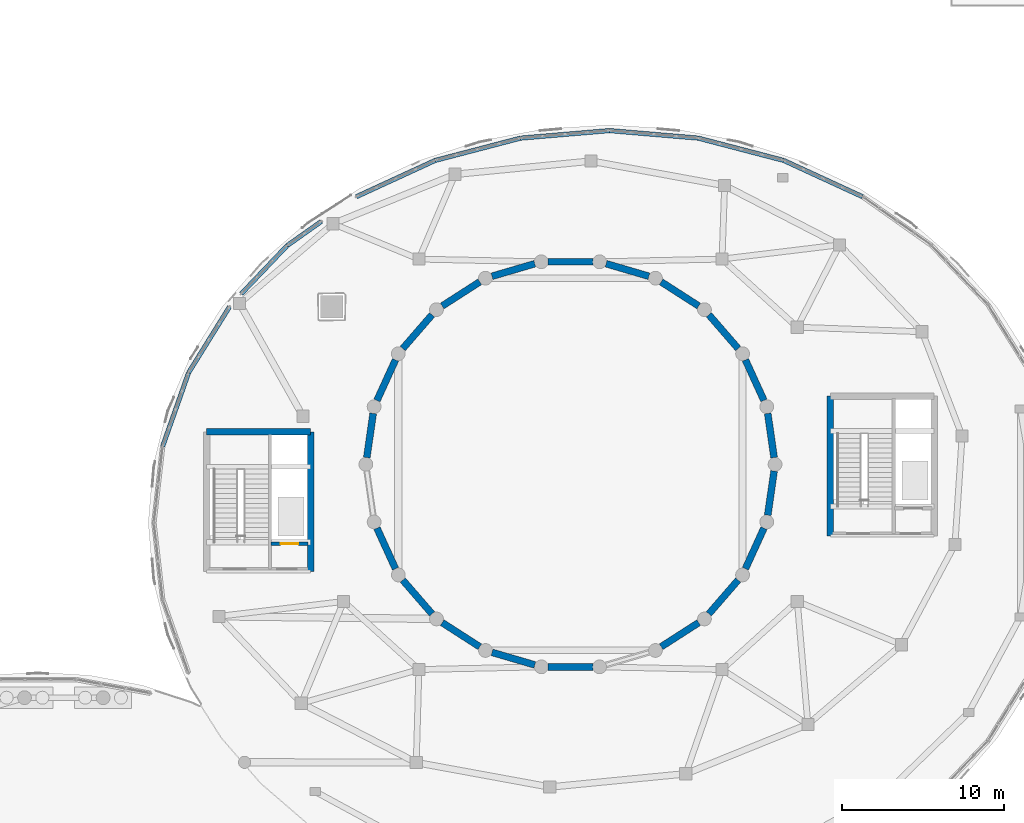
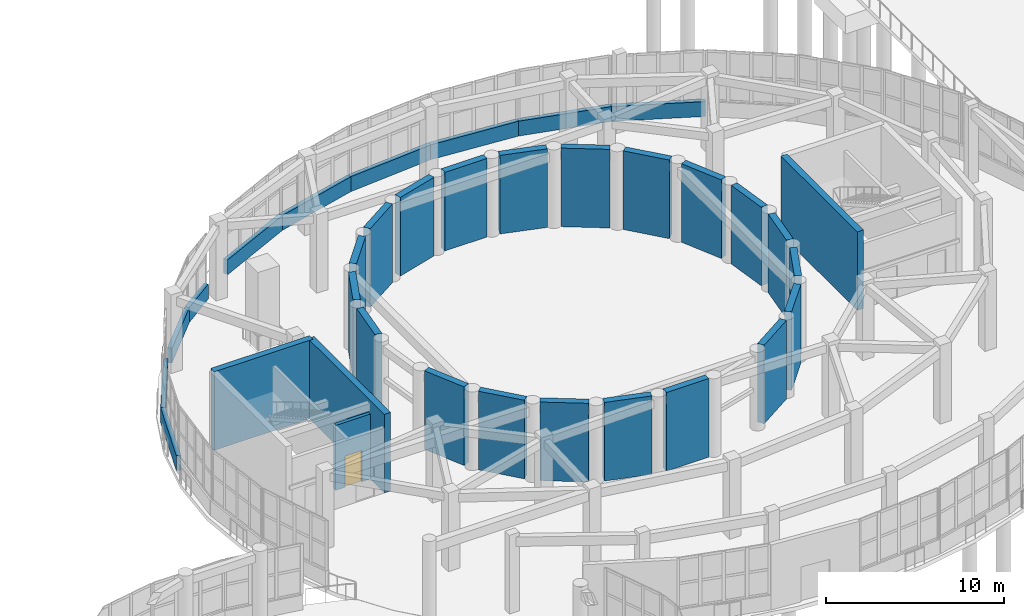
# One storey, part 76 of 96: 34 walls, 1 door, 1 opening.
"""IFC4 building model written with IfcOpenShell, lengths in metres."""

from ifc_helpers import new_model, si_unit, direction, frame, frame_2d, origin, place, context, subcontext, project, spatial, rectangle, extrude, material, layer, layer_set, type_object, element, fill, save


model = new_model("IFC4")

# Units and contexts
model_context = context("Model", 3, precision=1e-05, world=origin(), true_north=direction((0.0, 1.0)))
body_context = subcontext(model_context, "Body", "Model", "MODEL_VIEW")
ifc_project = project(units=[si_unit("LENGTHUNIT", "METRE"), si_unit("AREAUNIT", "SQUARE_METRE"), si_unit("VOLUMEUNIT", "CUBIC_METRE"), si_unit("PLANEANGLEUNIT", "RADIAN"), si_unit("MASSUNIT", "GRAM", prefix="KILO")], contexts=[model_context])

# Site, building, storey
site_placement = place(None, origin())
site = spatial("IfcSite", under=ifc_project, at=site_placement, CompositionType="ELEMENT")
building_placement = place(site_placement, origin())
building = spatial("IfcBuilding", under=site, at=building_placement, Name="Pelvatis Terrace Science Centre", CompositionType="ELEMENT")
storey_placement = place(building_placement, origin())
storey = spatial("IfcBuildingStorey", under=building, at=storey_placement, Name="L00", CompositionType="ELEMENT", Elevation=0.0)

# Walls
ifc_material_1 = material(Name="White architectural precast concrete C40/50 spandrel", Category="concrete")
ifc_layer_1 = layer(ifc_material_1, 0.27490234375)
ifc_layer_set_1 = layer_set([ifc_layer_1], Name="White architectural precast concrete C40/50 spandrel")
wall_type_1 = type_object("IfcWallType", Name="WL-EXT-SPND-275", PredefinedType="SOLIDWALL", material=ifc_layer_set_1)
wall_1_placement = place(storey_placement, frame((127.18359375, 102.280029296875, 0.0), z_axis=(0.0, 0.0, 1.0), x_axis=(-0.908420638182, 0.418057345498, 0.0)))
element("IfcWall", 1, at=wall_1_placement, inside=storey, type_object=wall_type_1, Name="V1 white spiral spandrel band 06 (L00)", PredefinedType="SOLIDWALL", context=body_context, shape_type="SweptSolid", body=[
    extrude(rectangle(XDim=5.338134765625, YDim=0.27490234375, at=frame_2d((2.6689453125, 0.0))), origin(), (0.0, 0.0, 1.0), 1.02001953125),
])
wall_2_placement = place(storey_placement, frame((122.334228515625, 104.51171875, 0.0), z_axis=(0.0, 0.0, 1.0), x_axis=(-0.967546202247, 0.252694175866, 0.0)))
element("IfcWall", 2, at=wall_2_placement, inside=storey, type_object=wall_type_1, Name="V1 white spiral spandrel band 07 (L00)", PredefinedType="SOLIDWALL", context=body_context, shape_type="SweptSolid", body=[
    extrude(rectangle(XDim=5.4384765625, YDim=0.27490234375, at=frame_2d((2.71923828125, 0.0))), origin(), (0.0, 0.0, 1.0), 1.02001953125),
])
wall_3_placement = place(storey_placement, frame((117.072265625, 105.885986328125, 0.0), z_axis=(0.0, 0.0, 1.0), x_axis=(-0.996422660163, 0.084509658114, 0.0)))
element("IfcWall", 3, at=wall_3_placement, inside=storey, type_object=wall_type_1, Name="V1 white spiral spandrel band 08 (L00)", PredefinedType="SOLIDWALL", context=body_context, shape_type="SweptSolid", body=[
    extrude(rectangle(XDim=5.49169921875, YDim=0.27490234375, at=frame_2d((2.745849609375, 0.0))), origin(), (0.0, 0.0, 1.0), 1.02001953125),
])
wall_4_placement = place(storey_placement, frame((111.60009765625, 106.35009765625, 0.0), z_axis=(0.0, 0.0, 1.0), x_axis=(-0.996422977636, -0.084505914811, 0.0)))
element("IfcWall", 4, at=wall_4_placement, inside=storey, type_object=wall_type_1, Name="V1 white spiral spandrel band 09 (L00)", PredefinedType="SOLIDWALL", context=body_context, shape_type="SweptSolid", body=[
    extrude(rectangle(XDim=5.491943359375, YDim=0.27490234375, at=frame_2d((2.74609375, 0.0))), origin(), (0.0, 0.0, 1.0), 1.02001953125),
])
wall_5_placement = place(storey_placement, frame((106.127685546875, 105.885986328125, 0.0), z_axis=(0.0, 0.0, 1.0), x_axis=(-0.967546202247, -0.252694175866, 0.0)))
element("IfcWall", 5, at=wall_5_placement, inside=storey, type_object=wall_type_1, Name="V1 white spiral spandrel band 10 (L00)", PredefinedType="SOLIDWALL", context=body_context, shape_type="SweptSolid", body=[
    extrude(rectangle(XDim=5.4384765625, YDim=0.27490234375, at=frame_2d((2.71923828125, 0.0))), origin(), (0.0, 0.0, 1.0), 1.02001953125),
])
wall_6_placement = place(storey_placement, frame((100.86572265625, 104.51171875, 0.0), z_axis=(0.0, 0.0, 1.0), x_axis=(-0.908420638182, -0.418057345498, 0.0)))
element("IfcWall", 6, at=wall_6_placement, inside=storey, type_object=wall_type_1, Name="V1 white spiral spandrel band 11 (L00)", PredefinedType="SOLIDWALL", context=body_context, shape_type="SweptSolid", body=[
    extrude(rectangle(XDim=5.338134765625, YDim=0.27490234375, at=frame_2d((2.6689453125, 0.0))), origin(), (0.0, 0.0, 1.0), 1.02001953125),
])
wall_7_placement = place(storey_placement, frame((93.86181640625, 100.7578125, 0.0), z_axis=(0.0, 0.0, 1.0), x_axis=(-0.816685705742, -0.57708271334, 0.0)))
element("IfcWall", 7, at=wall_7_placement, inside=storey, type_object=wall_type_1, Name="V1 white spiral spandrel band 12 (L00)", PredefinedType="SOLIDWALL", context=body_context, shape_type="SweptSolid", body=[
    extrude(rectangle(XDim=2.566650390625, YDim=0.27490234375, at=frame_2d((1.283203125, 0.0))), origin(), (0.0, 0.0, 1.0), 1.02001953125),
])
wall_8_placement = place(storey_placement, frame((91.765625, 99.276611328125, 0.0), z_axis=(0.0, 0.0, 1.0), x_axis=(-0.689956013093, -0.723851296882, 0.0)))
element("IfcWall", 8, at=wall_8_placement, inside=storey, type_object=wall_type_1, Name="V1 white spiral spandrel band 13 (L00)", PredefinedType="SOLIDWALL", context=body_context, shape_type="SweptSolid", body=[
    extrude(rectangle(XDim=4.11279296875, YDim=0.27490234375, at=frame_2d((2.056396484375, 0.0))), origin(), (0.0, 0.0, 1.0), 1.02001953125),
])
wall_9_placement = place(storey_placement, frame((88.20703125, 95.503662109375, 0.0), z_axis=(0.0, 0.0, 1.0), x_axis=(-0.527458195814, -0.849580985939, 0.0)))
element("IfcWall", 9, at=wall_9_placement, inside=storey, type_object=wall_type_1, Name="V1 white spiral spandrel band 14 (L00)", PredefinedType="SOLIDWALL", context=body_context, shape_type="SweptSolid", body=[
    extrude(rectangle(XDim=4.781005859375, YDim=0.27490234375, at=frame_2d((2.390625, 0.0))), origin(), (0.0, 0.0, 1.0), 1.02001953125),
])
wall_10_placement = place(storey_placement, frame((85.685302734375, 91.44189453125, 0.0), z_axis=(0.0, 0.0, 1.0), x_axis=(-0.332298985331, -0.943174100762, 0.0)))
element("IfcWall", 10, at=wall_10_placement, inside=storey, type_object=wall_type_1, Name="V1 white spiral spandrel band 15 (L00)", PredefinedType="SOLIDWALL", context=body_context, shape_type="SweptSolid", body=[
    extrude(rectangle(XDim=4.803466796875, YDim=0.27490234375, at=frame_2d((2.40185546875, 0.0))), origin(), (0.0, 0.0, 1.0), 1.02001953125),
])

# Wall, opening, door
ifc_material_2 = material(Name="Concrete C35/45 stair enclosure wall", Category="concrete")
ifc_layer_2 = layer(ifc_material_2, 0.22509765625)
ifc_layer_set_2 = layer_set([ifc_layer_2], Name="Concrete C35/45 stair enclosure wall")
wall_type_2 = type_object("IfcWallType", Name="WL-INT-CORE-225", PredefinedType="PARTITIONING", material=ifc_layer_set_2)
wall_11_placement = place(storey_placement, frame((90.75, 80.89990234375, 0.0), z_axis=(0.0, 0.0, 1.0), x_axis=(1.0, 0.0, 0.0)))
wall_11 = element("IfcWall", 11, at=wall_11_placement, inside=storey, type_object=wall_type_2, Name="Core C1 lift shaft landing wall (L00)", PredefinedType="PARTITIONING", context=body_context, shape_type="SweptSolid", body=[
    extrude(rectangle(XDim=2.300048828125, YDim=0.22509765625, at=frame_2d((1.14990234375, 0.0))), origin(), (0.0, 0.0, 1.0), 4.4599609375),
])
opening_placement = place(wall_11_placement, frame((0.60009765625, 0.0, 0.0)))
opening = element("IfcOpeningElement", 12, at=opening_placement, cuts=wall_11, Name="Opening LD-C1-2", PredefinedType="OPENING", context=body_context, shape_type="SweptSolid", body=[
    extrude(rectangle(XDim=1.10009765625, YDim=2.14990234375, at=frame_2d((0.550048828125, 1.074951171875))), frame((0.0, 0.12255859375, 0.0), z_axis=(0.0, -1.0, 0.0), x_axis=(1.0, 0.0, 0.0)), (0.0, 0.0, 1.0), 0.2451171875),
])
ifc_material_3 = material(Name="Stainless steel sliding fire-fighting lift landing door", Category="steel")
door_type = type_object("IfcDoorType", Name="DR-LIFT-1100x2150", OperationType="NOTDEFINED", PredefinedType="DOOR", material=ifc_material_3)
door_placement = place(opening_placement, origin())
door = element("IfcDoor", 13, at=door_placement, inside=storey, type_object=door_type, Name="Lift LF-01 sliding landing door (L00)", OperationType="SLIDING_TO_RIGHT", OverallHeight=2.14990234375, OverallWidth=1.10009765625, PredefinedType="DOOR", context=body_context, shape_type="SweptSolid", body=[
    extrude(rectangle(XDim=1.10009765625, YDim=2.14990234375, at=frame_2d((0.550048828125, 1.074951171875))), frame((0.0, 0.02490234375, 0.0), z_axis=(0.0, -1.0, 0.0), x_axis=(1.0, 0.0, 0.0)), (0.0, 0.0, 1.0), 0.050048828125),
])
fill(opening, door)

# Walls
ifc_material_4 = material(Name="Concrete C40/50", Category="concrete")
ifc_layer_3 = layer(ifc_material_4, 0.39990234375)
ifc_layer_set_3 = layer_set([ifc_layer_3], Name="Concrete C40/50")
wall_type_3 = type_object("IfcWallType", Name="WL-SHR-400", PredefinedType="SHEAR", material=ifc_layer_set_3)
wall_12_placement = place(storey_placement, frame((86.800048828125, 87.800048828125, 0.0), z_axis=(0.0, 0.0, 1.0), x_axis=(1.0, 0.0, 0.0)))
element("IfcWall", 14, at=wall_12_placement, inside=storey, type_object=wall_type_3, Name="Core C1 shear wall N (L00)", PredefinedType="SHEAR", context=body_context, shape_type="SweptSolid", body=[
    extrude(rectangle(XDim=6.39990234375, YDim=0.39990234375, at=frame_2d((3.199951171875, 0.0))), origin(), (0.0, 0.0, 1.0), 5.39990234375),
])
for number, where, z_axis, x_axis, name in (
    (15, (93.199951171875, 79.199951171875, 0.0), (0.0, 0.0, 1.0), (0.0, 1.0, 0.0), "Core C1 shear wall E (L00)"),
    (16, (125.199951171875, 81.39990234375, 0.0), (0.0, 0.0, 1.0), (0.0, 1.0, 0.0), "Core C2 shear wall W (L00)"),
):
    element("IfcWall", number, at=place(storey_placement, frame(where, z_axis=z_axis, x_axis=x_axis)), inside=storey, type_object=wall_type_3, Name=name, PredefinedType="SHEAR", context=body_context, shape_type="SweptSolid", body=[
        extrude(rectangle(XDim=8.60009765625, YDim=0.39990234375, at=frame_2d((4.300048828125, 0.0))), origin(), (0.0, 0.0, 1.0), 5.39990234375),
    ])
ifc_material_5 = material(Name="Concrete C40/50", Category="concrete")
ifc_layer_4 = layer(ifc_material_5, 0.419921875)
ifc_layer_set_4 = layer_set([ifc_layer_4], Name="Concrete C40/50")
wall_type_4 = type_object("IfcWallType", Name="WL-SHR-420", PredefinedType="SHEAR", material=ifc_layer_set_4)
for number, where, z_axis, x_axis, name in (
    (17, (121.740234375, 86.2158203125, 0.0), (0.0, 0.0, 1.0), (-0.142329860809, 0.98981928185, 0.0), "Planetarium shear drum wall 01 (L00)"),
    (18, (121.114990234375, 89.731689453125, 0.0), (0.0, 0.0, 1.0), (-0.415322734661, 0.909674131804, 0.0), "Planetarium shear drum wall 02 (L00)"),
    (19, (119.52490234375, 92.929443359375, 0.0), (0.0, 0.0, 1.0), (-0.654903462799, 0.755712547476, 0.0), "Planetarium shear drum wall 03 (L00)"),
):
    element("IfcWall", number, at=place(storey_placement, frame(where, z_axis=z_axis, x_axis=x_axis)), inside=storey, type_object=wall_type_4, Name=name, PredefinedType="SHEAR", context=body_context, shape_type="SweptSolid", body=[
        extrude(rectangle(XDim=2.746337890625, YDim=0.419921875, at=frame_2d((1.373046875, 0.0))), origin(), (0.0, 0.0, 1.0), 5.39990234375),
    ])
wall_13_placement = place(storey_placement, frame((117.097900390625, 95.549560546875, 0.0), z_axis=(0.0, 0.0, 1.0), x_axis=(-0.841273782563, 0.54060930696, 0.0)))
element("IfcWall", 20, at=wall_13_placement, inside=storey, type_object=wall_type_4, Name="Planetarium shear drum wall 04 (L00)", PredefinedType="SHEAR", context=body_context, shape_type="SweptSolid", body=[
    extrude(rectangle(XDim=2.74609375, YDim=0.419921875, at=frame_2d((1.373046875, 0.0))), origin(), (0.0, 0.0, 1.0), 5.39990234375),
])
for number, where, z_axis, x_axis, name in (
    (21, (114.03125, 97.379638671875, 0.0), (0.0, 0.0, 1.0), (-0.959471601157, 0.281805334538, 0.0), "Planetarium shear drum wall 05 (L00)"),
    (22, (110.5732421875, 98.271728515625, 0.0), (0.0, 0.0, 1.0), (-1.0, 0.0, 0.0), "Planetarium shear drum wall 06 (L00)"),
    (23, (107.00390625, 98.153564453125, 0.0), (0.0, 0.0, 1.0), (-0.959471601157, -0.281805334538, 0.0), "Planetarium shear drum wall 07 (L00)"),
    (24, (103.612548828125, 97.0341796875, 0.0), (0.0, 0.0, 1.0), (-0.841299761826, -0.540568876972, 0.0), "Planetarium shear drum wall 08 (L00)"),
    (25, (100.673828125, 95.0048828125, 0.0), (0.0, 0.0, 1.0), (-0.654903462799, -0.755712547476, 0.0), "Planetarium shear drum wall 09 (L00)"),
    (26, (98.42578125, 92.22998046875, 0.0), (0.0, 0.0, 1.0), (-0.415396292762, -0.909640544369, 0.0), "Planetarium shear drum wall 10 (L00)"),
):
    element("IfcWall", number, at=place(storey_placement, frame(where, z_axis=z_axis, x_axis=x_axis)), inside=storey, type_object=wall_type_4, Name=name, PredefinedType="SHEAR", context=body_context, shape_type="SweptSolid", body=[
        extrude(rectangle(XDim=2.746337890625, YDim=0.419921875, at=frame_2d((1.373046875, 0.0))), origin(), (0.0, 0.0, 1.0), 5.39990234375),
    ])
wall_14_placement = place(storey_placement, frame((97.050537109375, 88.93408203125, 0.0), z_axis=(0.0, 0.0, 1.0), x_axis=(-0.142242759485, -0.989831802568, 0.0)))
element("IfcWall", 27, at=wall_14_placement, inside=storey, type_object=wall_type_4, Name="Planetarium shear drum wall 11 (L00)", PredefinedType="SHEAR", context=body_context, shape_type="SweptSolid", body=[
    extrude(rectangle(XDim=2.74609375, YDim=0.419921875, at=frame_2d((1.373046875, 0.0))), origin(), (0.0, 0.0, 1.0), 5.39990234375),
])
for number, where, z_axis, x_axis, name in (
    (28, (97.284912109375, 81.8681640625, 0.0), (0.0, 0.0, 1.0), (0.415396292762, -0.909640544369, 0.0), "Planetarium shear drum wall 13 (L00)"),
    (29, (98.875244140625, 78.67041015625, 0.0), (0.0, 0.0, 1.0), (0.654903462799, -0.755712547476, 0.0), "Planetarium shear drum wall 14 (L00)"),
):
    element("IfcWall", number, at=place(storey_placement, frame(where, z_axis=z_axis, x_axis=x_axis)), inside=storey, type_object=wall_type_4, Name=name, PredefinedType="SHEAR", context=body_context, shape_type="SweptSolid", body=[
        extrude(rectangle(XDim=2.746337890625, YDim=0.419921875, at=frame_2d((1.373046875, 0.0))), origin(), (0.0, 0.0, 1.0), 5.39990234375),
    ])
wall_15_placement = place(storey_placement, frame((101.302001953125, 76.050537109375, 0.0), z_axis=(0.0, 0.0, 1.0), x_axis=(0.841259333828, -0.540631790822, 0.0)))
element("IfcWall", 30, at=wall_15_placement, inside=storey, type_object=wall_type_4, Name="Planetarium shear drum wall 15 (L00)", PredefinedType="SHEAR", context=body_context, shape_type="SweptSolid", body=[
    extrude(rectangle(XDim=2.74658203125, YDim=0.419921875, at=frame_2d((1.373291015625, 0.0))), origin(), (0.0, 0.0, 1.0), 5.39990234375),
])
for number, where, z_axis, x_axis, name in (
    (31, (104.368896484375, 74.22021484375, 0.0), (0.0, 0.0, 1.0), (0.959495634771, -0.281723493615, 0.0), "Planetarium shear drum wall 16 (L00)"),
    (32, (107.826904296875, 73.328125, 0.0), (0.0, 0.0, 1.0), (1.0, 0.0, 0.0), "Planetarium shear drum wall 17 (L00)"),
    (33, (114.78759765625, 74.565673828125, 0.0), (0.0, 0.0, 1.0), (0.841233349766, 0.540672221629, 0.0), "Planetarium shear drum wall 19 (L00)"),
    (34, (117.726318359375, 76.594970703125, 0.0), (0.0, 0.0, 1.0), (0.654903462799, 0.755712547476, 0.0), "Planetarium shear drum wall 20 (L00)"),
    (35, (119.974365234375, 79.369873046875, 0.0), (0.0, 0.0, 1.0), (0.415322734661, 0.909674131804, 0.0), "Planetarium shear drum wall 21 (L00)"),
    (36, (121.349365234375, 82.666015625, 0.0), (0.0, 0.0, 1.0), (0.142329860809, 0.98981928185, 0.0), "Planetarium shear drum wall 22 (L00)"),
):
    element("IfcWall", number, at=place(storey_placement, frame(where, z_axis=z_axis, x_axis=x_axis)), inside=storey, type_object=wall_type_4, Name=name, PredefinedType="SHEAR", context=body_context, shape_type="SweptSolid", body=[
        extrude(rectangle(XDim=2.746337890625, YDim=0.419921875, at=frame_2d((1.373046875, 0.0))), origin(), (0.0, 0.0, 1.0), 5.39990234375),
    ])

save(model, "model.ifc")
